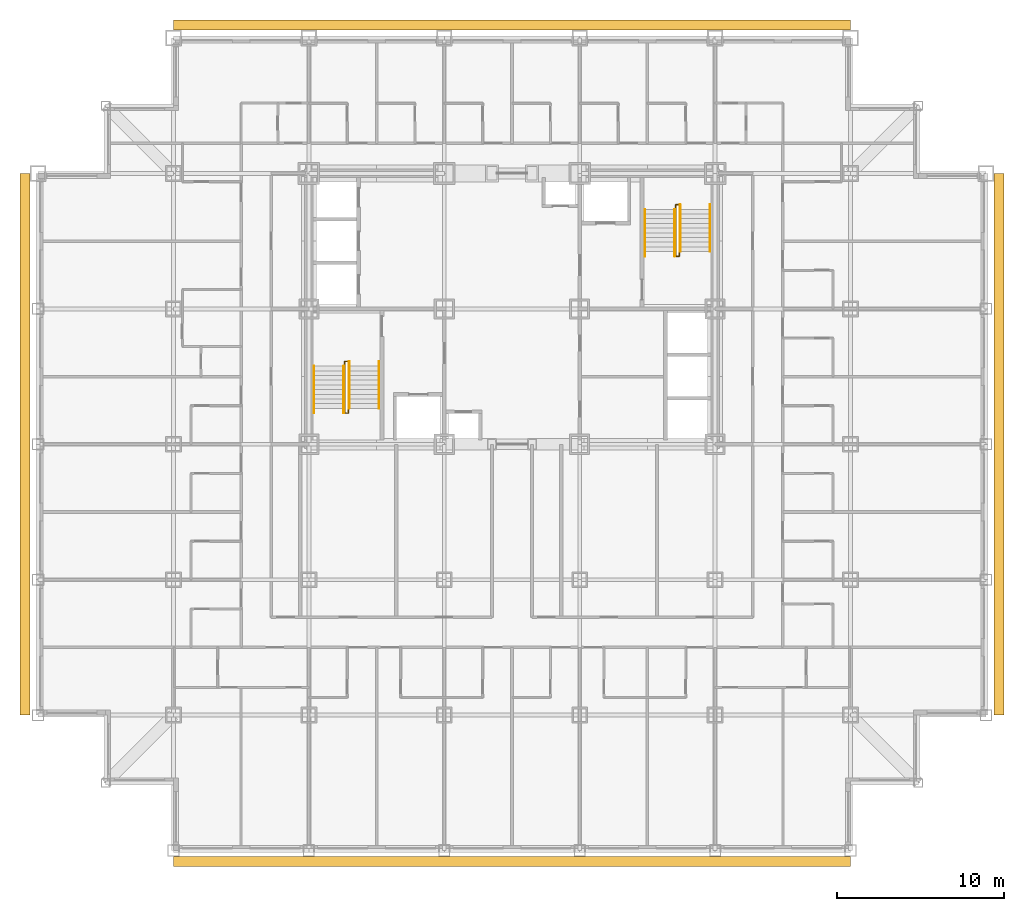
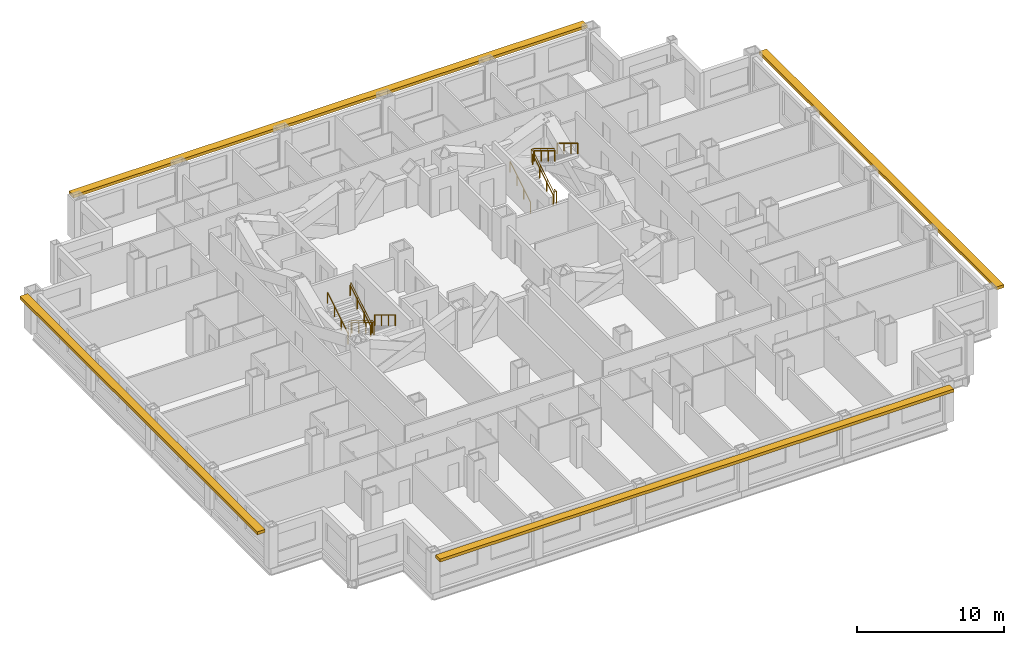
# One storey, part 11 of 11: 10 railings, 4 shading devices.
"""IFC4 building model written with IfcOpenShell, lengths in metres."""

from ifc_helpers import new_model, si_unit, direction, frame, origin, origin_2d, place, context, subcontext, project, spatial, rectangle, circle, extrude, material, type_object, element, save


model = new_model("IFC4")

# Units and contexts
model_context = context("Model", 3, precision=1e-05, world=origin(), true_north=direction((0.0, 1.0)))
body_context = subcontext(model_context, "Body", "Model", "MODEL_VIEW")
ifc_project = project(units=[si_unit("LENGTHUNIT", "METRE"), si_unit("AREAUNIT", "SQUARE_METRE"), si_unit("VOLUMEUNIT", "CUBIC_METRE"), si_unit("PLANEANGLEUNIT", "RADIAN"), si_unit("MASSUNIT", "GRAM", prefix="KILO")], contexts=[model_context])

# Site, building, storey
site_placement = place(None, origin())
site = spatial("IfcSite", under=ifc_project, at=site_placement, CompositionType="ELEMENT")
building_placement = place(site_placement, origin())
building = spatial("IfcBuilding", under=site, at=building_placement, Name="Kopane Lantern Tower", CompositionType="ELEMENT")
storey_placement = place(building_placement, frame((0.0, 0.0, 60.199951171875)))
storey = spatial("IfcBuildingStorey", under=building, at=storey_placement, Name="L14", CompositionType="ELEMENT", Elevation=60.199951171875)

# Railings
ifc_material_1 = material(Name="Steel", Category="steel")
railing_type_1 = type_object("IfcRailingType", Name="STAIR GUARD 1100", PredefinedType="GUARDRAIL", material=ifc_material_1)
railing_1_placement = place(storey_placement, frame((18.35009765625, 28.969970703125, 0.0)))
element("IfcRailing", 1, at=railing_1_placement, inside=storey, type_object=railing_type_1, Name="ST1 well guard L14", PredefinedType="GUARDRAIL", context=body_context, shape_type="SweptSolid", body=[
    extrude(circle(Radius=0.02392578125, at=origin_2d()), frame((0.0, 0.0, 1.076171875), z_axis=(0.0, 1.0, 0.0), x_axis=(-1.0, 0.0, 0.0)), (0.0, 0.0, 1.0), 0.280029296875),
    extrude(circle(Radius=0.02392578125, at=origin_2d()), frame((0.0, 0.280029296875, 1.076171875), z_axis=(1.0, 0.0, 0.0), x_axis=(0.0, 1.0, 0.0)), (0.0, 0.0, 1.0), 0.199951171875),
    extrude(circle(Radius=0.02392578125, at=origin_2d()), frame((0.199951171875, 0.280029296875, 1.076171875), z_axis=(0.0, -0.854798142509, 0.518960630071), x_axis=(1.0, 0.0, 0.0)), (0.0, 0.0, 1.0), 3.275634765625),
    extrude(circle(Radius=0.02392578125, at=origin_2d()), frame((0.199951171875, -2.52001953125, 2.77587890625), z_axis=(0.0, -1.0, 0.0), x_axis=(1.0, 0.0, 0.0)), (0.0, 0.0, 1.0), 0.280029296875),
    extrude(circle(Radius=0.02392578125, at=origin_2d()), frame((0.199951171875, -2.800048828125, 2.77587890625), z_axis=(-1.0, 0.0, 0.0), x_axis=(0.0, -1.0, 0.0)), (0.0, 0.0, 1.0), 0.199951171875),
    extrude(circle(Radius=0.02392578125, at=origin_2d()), frame((0.0, -2.800048828125, 2.77587890625), z_axis=(0.0, 0.854765079529, 0.519015085347), x_axis=(-1.0, 0.0, 0.0)), (0.0, 0.0, 1.0), 3.27587890625),
    extrude(circle(Radius=0.02099609375, at=origin_2d()), origin(), (0.0, 0.0, 1.0), 1.052001953125),
    extrude(circle(Radius=0.02099609375, at=origin_2d()), frame((0.0, 0.280029296875, 0.0)), (0.0, 0.0, 1.0), 1.052001953125),
    extrude(circle(Radius=0.02099609375, at=origin_2d()), frame((0.199951171875, 0.280029296875, 0.0)), (0.0, 0.0, 1.0), 1.052001953125),
    extrude(circle(Radius=0.02099609375, at=origin_2d()), frame((0.199951171875, -0.6533203125, 0.566650390625)), (0.0, 0.0, 1.0), 1.052001953125),
    extrude(circle(Radius=0.02099609375, at=origin_2d()), frame((0.199951171875, -1.586669921875, 1.13330078125)), (0.0, 0.0, 1.0), 1.052001953125),
    extrude(circle(Radius=0.02099609375, at=origin_2d()), frame((0.199951171875, -2.52001953125, 1.699951171875)), (0.0, 0.0, 1.0), 1.052001953125),
    extrude(circle(Radius=0.02099609375, at=origin_2d()), frame((0.199951171875, -2.800048828125, 1.699951171875)), (0.0, 0.0, 1.0), 1.052001953125),
    extrude(circle(Radius=0.02099609375, at=origin_2d()), frame((0.0, -2.800048828125, 1.699951171875)), (0.0, 0.0, 1.0), 1.052001953125),
    extrude(circle(Radius=0.02099609375, at=origin_2d()), frame((0.0, -1.86669921875, 2.2666015625)), (0.0, 0.0, 1.0), 1.052001953125),
    extrude(circle(Radius=0.02099609375, at=origin_2d()), frame((0.0, -0.933349609375, 2.83349609375)), (0.0, 0.0, 1.0), 1.052001953125),
    extrude(circle(Radius=0.02099609375, at=origin_2d()), frame((0.0, 0.0, 3.400146484375)), (0.0, 0.0, 1.0), 1.052001953125),
])
railing_2_placement = place(storey_placement, frame((38.35009765625, 35.830078125, 0.0)))
element("IfcRailing", 2, at=railing_2_placement, inside=storey, type_object=railing_type_1, Name="ST2 well guard L14", PredefinedType="GUARDRAIL", context=body_context, shape_type="SweptSolid", body=[
    extrude(circle(Radius=0.02392578125, at=origin_2d()), frame((0.0, 0.0, 1.076171875), z_axis=(0.0, -1.0, 0.0), x_axis=(1.0, 0.0, 0.0)), (0.0, 0.0, 1.0), 0.280029296875),
    extrude(circle(Radius=0.02392578125, at=origin_2d()), frame((0.0, -0.280029296875, 1.076171875), z_axis=(-1.0, 0.0, 0.0), x_axis=(0.0, -1.0, 0.0)), (0.0, 0.0, 1.0), 0.2001953125),
    extrude(circle(Radius=0.02392578125, at=origin_2d()), frame((-0.2001953125, -0.280029296875, 1.076171875), z_axis=(0.0, 0.854798142509, 0.518960630071), x_axis=(-1.0, 0.0, 0.0)), (0.0, 0.0, 1.0), 3.275634765625),
    extrude(circle(Radius=0.02392578125, at=origin_2d()), frame((-0.2001953125, 2.52001953125, 2.77587890625), z_axis=(0.0, 1.0, 0.0), x_axis=(-1.0, 0.0, 0.0)), (0.0, 0.0, 1.0), 0.27978515625),
    extrude(circle(Radius=0.02392578125, at=origin_2d()), frame((-0.2001953125, 2.7998046875, 2.77587890625), z_axis=(1.0, 0.0, 0.0), x_axis=(0.0, 1.0, 0.0)), (0.0, 0.0, 1.0), 0.2001953125),
    extrude(circle(Radius=0.02392578125, at=origin_2d()), frame((0.0, 2.7998046875, 2.77587890625), z_axis=(0.0, -0.854745001426, 0.5190481505), x_axis=(1.0, 0.0, 0.0)), (0.0, 0.0, 1.0), 3.275634765625),
    extrude(circle(Radius=0.02099609375, at=origin_2d()), origin(), (0.0, 0.0, 1.0), 1.052001953125),
    extrude(circle(Radius=0.02099609375, at=origin_2d()), frame((0.0, -0.280029296875, 0.0)), (0.0, 0.0, 1.0), 1.052001953125),
    extrude(circle(Radius=0.02099609375, at=origin_2d()), frame((-0.2001953125, -0.280029296875, 0.0)), (0.0, 0.0, 1.0), 1.052001953125),
    extrude(circle(Radius=0.02099609375, at=origin_2d()), frame((-0.2001953125, 0.6533203125, 0.566650390625)), (0.0, 0.0, 1.0), 1.052001953125),
    extrude(circle(Radius=0.02099609375, at=origin_2d()), frame((-0.2001953125, 1.586669921875, 1.13330078125)), (0.0, 0.0, 1.0), 1.052001953125),
    extrude(circle(Radius=0.02099609375, at=origin_2d()), frame((-0.2001953125, 2.52001953125, 1.699951171875)), (0.0, 0.0, 1.0), 1.052001953125),
    extrude(circle(Radius=0.02099609375, at=origin_2d()), frame((-0.2001953125, 2.7998046875, 1.699951171875)), (0.0, 0.0, 1.0), 1.052001953125),
    extrude(circle(Radius=0.02099609375, at=origin_2d()), frame((0.0, 2.7998046875, 1.699951171875)), (0.0, 0.0, 1.0), 1.052001953125),
    extrude(circle(Radius=0.02099609375, at=origin_2d()), frame((0.0, 1.866455078125, 2.2666015625)), (0.0, 0.0, 1.0), 1.052001953125),
    extrude(circle(Radius=0.02099609375, at=origin_2d()), frame((0.0, 0.933349609375, 2.83349609375)), (0.0, 0.0, 1.0), 1.052001953125),
    extrude(circle(Radius=0.02099609375, at=origin_2d()), frame((0.0, 0.0, 3.400146484375)), (0.0, 0.0, 1.0), 1.052001953125),
])
ifc_material_2 = material(Name="Steel", Category="steel")
railing_type_2 = type_object("IfcRailingType", Name="STAIR HANDRAIL 900", PredefinedType="HANDRAIL", material=ifc_material_2)
for number, where, name in (
    (3, (20.389892578125, 29.25, 0.0), "ST1 handrail L14 flight 1"),
    (4, (18.610107421875, 29.25, 0.0), "ST1 handrail L14 flight 1"),
):
    element("IfcRailing", number, at=place(storey_placement, frame(where)), inside=storey, type_object=railing_type_2, Name=name, PredefinedType="HANDRAIL", context=body_context, shape_type="SweptSolid", body=[
        extrude(circle(Radius=0.02392578125, at=origin_2d()), frame((0.0, 0.0, 0.8759765625), z_axis=(0.0, -0.854798142509, 0.518960630071), x_axis=(1.0, 0.0, 0.0)), (0.0, 0.0, 1.0), 3.275634765625),
        extrude(circle(Radius=0.02099609375, at=origin_2d()), origin(), (0.0, 0.0, 1.0), 0.851806640625),
        extrude(circle(Radius=0.02099609375, at=origin_2d()), frame((0.0, -0.933349609375, 0.566650390625)), (0.0, 0.0, 1.0), 0.851806640625),
        extrude(circle(Radius=0.02099609375, at=origin_2d()), frame((0.0, -1.86669921875, 1.13330078125)), (0.0, 0.0, 1.0), 0.851806640625),
        extrude(circle(Radius=0.02099609375, at=origin_2d()), frame((0.0, -2.800048828125, 1.699951171875)), (0.0, 0.0, 1.0), 0.851806640625),
    ])
for number, where, name in (
    (5, (16.510009765625, 26.169921875, 1.699951171875), "ST1 handrail L14 flight 2"),
    (6, (18.2900390625, 26.169921875, 1.699951171875), "ST1 handrail L14 flight 2"),
):
    element("IfcRailing", number, at=place(storey_placement, frame(where)), inside=storey, type_object=railing_type_2, Name=name, PredefinedType="HANDRAIL", context=body_context, shape_type="SweptSolid", body=[
        extrude(circle(Radius=0.02392578125, at=origin_2d()), frame((0.0, 0.0, 0.8759765625), z_axis=(0.0, 0.854765079529, 0.519015085347), x_axis=(-1.0, 0.0, 0.0)), (0.0, 0.0, 1.0), 3.27587890625),
        extrude(circle(Radius=0.02099609375, at=origin_2d()), origin(), (0.0, 0.0, 1.0), 0.851806640625),
        extrude(circle(Radius=0.02099609375, at=origin_2d()), frame((0.0, 0.933349609375, 0.566650390625)), (0.0, 0.0, 1.0), 0.851806640625),
        extrude(circle(Radius=0.02099609375, at=origin_2d()), frame((0.0, 1.86669921875, 1.133544921875)), (0.0, 0.0, 1.0), 0.851806640625),
        extrude(circle(Radius=0.02099609375, at=origin_2d()), frame((0.0, 2.800048828125, 1.7001953125)), (0.0, 0.0, 1.0), 0.851806640625),
    ])
for number, where, name in (
    (7, (36.31005859375, 35.550048828125, 0.0), "ST2 handrail L14 flight 1"),
    (8, (38.090087890625, 35.550048828125, 0.0), "ST2 handrail L14 flight 1"),
):
    element("IfcRailing", number, at=place(storey_placement, frame(where)), inside=storey, type_object=railing_type_2, Name=name, PredefinedType="HANDRAIL", context=body_context, shape_type="SweptSolid", body=[
        extrude(circle(Radius=0.02392578125, at=origin_2d()), frame((0.0, 0.0, 0.8759765625), z_axis=(0.0, 0.854798142509, 0.518960630071), x_axis=(-1.0, 0.0, 0.0)), (0.0, 0.0, 1.0), 3.275634765625),
        extrude(circle(Radius=0.02099609375, at=origin_2d()), origin(), (0.0, 0.0, 1.0), 0.851806640625),
        extrude(circle(Radius=0.02099609375, at=origin_2d()), frame((0.0, 0.933349609375, 0.566650390625)), (0.0, 0.0, 1.0), 0.851806640625),
        extrude(circle(Radius=0.02099609375, at=origin_2d()), frame((0.0, 1.86669921875, 1.13330078125)), (0.0, 0.0, 1.0), 0.851806640625),
        extrude(circle(Radius=0.02099609375, at=origin_2d()), frame((0.0, 2.800048828125, 1.699951171875)), (0.0, 0.0, 1.0), 0.851806640625),
    ])
for number, where, name in (
    (9, (40.18994140625, 38.6298828125, 1.699951171875), "ST2 handrail L14 flight 2"),
    (10, (38.409912109375, 38.6298828125, 1.699951171875), "ST2 handrail L14 flight 2"),
):
    element("IfcRailing", number, at=place(storey_placement, frame(where)), inside=storey, type_object=railing_type_2, Name=name, PredefinedType="HANDRAIL", context=body_context, shape_type="SweptSolid", body=[
        extrude(circle(Radius=0.02392578125, at=origin_2d()), frame((0.0, 0.0, 0.8759765625), z_axis=(0.0, -0.854745001426, 0.5190481505), x_axis=(1.0, 0.0, 0.0)), (0.0, 0.0, 1.0), 3.275634765625),
        extrude(circle(Radius=0.02099609375, at=origin_2d()), origin(), (0.0, 0.0, 1.0), 0.851806640625),
        extrude(circle(Radius=0.02099609375, at=origin_2d()), frame((0.0, -0.933349609375, 0.566650390625)), (0.0, 0.0, 1.0), 0.851806640625),
        extrude(circle(Radius=0.02099609375, at=origin_2d()), frame((0.0, -1.866455078125, 1.133544921875)), (0.0, 0.0, 1.0), 0.851806640625),
        extrude(circle(Radius=0.02099609375, at=origin_2d()), frame((0.0, -2.7998046875, 1.7001953125)), (0.0, 0.0, 1.0), 0.851806640625),
    ])

# Shading devices
ifc_material_3 = material(Name="Terracotta rainscreen on light steel framing", Category="masonry")
shading_device_type = type_object("IfcShadingDeviceType", Name="SUNSHADE BAND SB1 600 TERRACOTTA", PredefinedType="USERDEFINED", material=ifc_material_3)
shading_device_1_placement = place(storey_placement, frame((28.35009765625, -0.64990234375, 2.900146484375), z_axis=(0.0, 0.0, 1.0), x_axis=(1.0, 0.0, 0.0)))
element("IfcShadingDevice", 11, at=shading_device_1_placement, inside=storey, type_object=shading_device_type, Name="Sunshade band S L14", ObjectType="SUNSHADE BAND", PredefinedType="USERDEFINED", context=body_context, shape_type="SweptSolid", body=[
    extrude(rectangle(XDim=40.5, YDim=0.60009765625, at=origin_2d()), origin(), (0.0, 0.0, 1.0), 0.25),
])
shading_device_2_placement = place(storey_placement, frame((57.47509765625, 24.300048828125, 2.900146484375), z_axis=(0.0, 0.0, 1.0), x_axis=(0.0, 1.0, 0.0)))
element("IfcShadingDevice", 12, at=shading_device_2_placement, inside=storey, type_object=shading_device_type, Name="Sunshade band E L14", ObjectType="SUNSHADE BAND", PredefinedType="USERDEFINED", context=body_context, shape_type="SweptSolid", body=[
    extrude(rectangle(XDim=32.39990234375, YDim=0.60009765625, at=origin_2d()), origin(), (0.0, 0.0, 1.0), 0.25),
])
shading_device_3_placement = place(storey_placement, frame((28.35009765625, 49.375, 2.900146484375), z_axis=(0.0, 0.0, 1.0), x_axis=(-1.0, 0.0, 0.0)))
element("IfcShadingDevice", 13, at=shading_device_3_placement, inside=storey, type_object=shading_device_type, Name="Sunshade band N L14", ObjectType="SUNSHADE BAND", PredefinedType="USERDEFINED", context=body_context, shape_type="SweptSolid", body=[
    extrude(rectangle(XDim=40.5, YDim=0.60009765625, at=origin_2d()), origin(), (0.0, 0.0, 1.0), 0.25),
])
shading_device_4_placement = place(storey_placement, frame((-0.77490234375, 24.300048828125, 2.900146484375), z_axis=(0.0, 0.0, 1.0), x_axis=(0.0, -1.0, 0.0)))
element("IfcShadingDevice", 14, at=shading_device_4_placement, inside=storey, type_object=shading_device_type, Name="Sunshade band W L14", ObjectType="SUNSHADE BAND", PredefinedType="USERDEFINED", context=body_context, shape_type="SweptSolid", body=[
    extrude(rectangle(XDim=32.39990234375, YDim=0.60009765625, at=origin_2d()), origin(), (0.0, 0.0, 1.0), 0.25),
])

save(model, "model.ifc")
